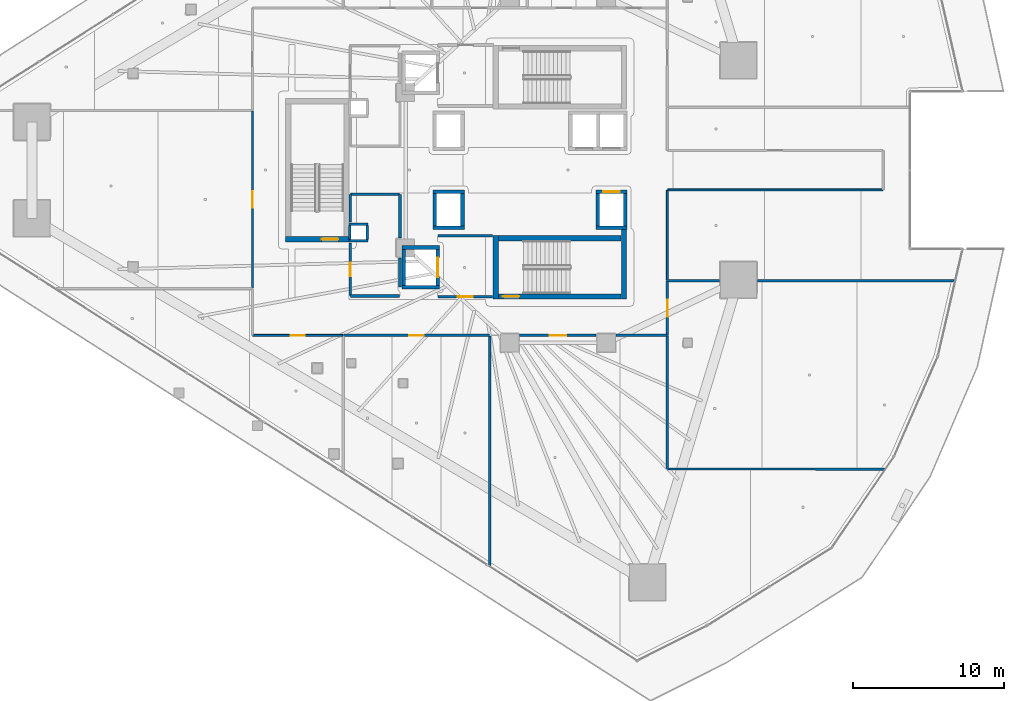
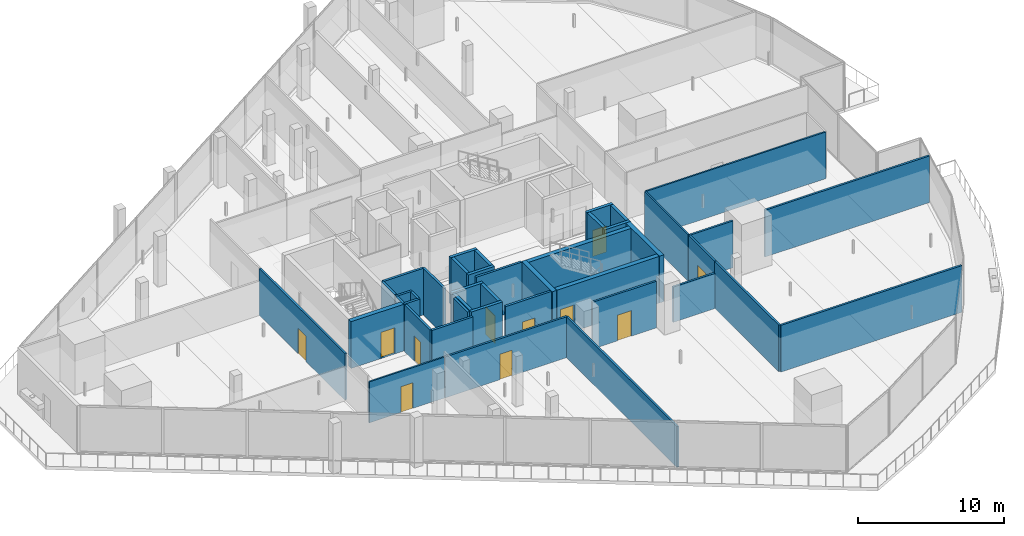
# One storey, part 28 of 44: 42 walls, 11 doors, 11 openings.
"""IFC4 building model written with IfcOpenShell, lengths in metres."""

from ifc_helpers import new_model, si_unit, direction, frame, frame_2d, origin, place, context, subcontext, project, spatial, rectangle, extrude, material, layer, layer_set, type_object, element, fill, save


model = new_model("IFC4")

# Units and contexts
model_context = context("Model", 3, precision=1e-05, world=origin(), true_north=direction((0.0, 1.0)))
body_context = subcontext(model_context, "Body", "Model", "MODEL_VIEW")
ifc_project = project(units=[si_unit("LENGTHUNIT", "METRE"), si_unit("AREAUNIT", "SQUARE_METRE"), si_unit("VOLUMEUNIT", "CUBIC_METRE"), si_unit("PLANEANGLEUNIT", "RADIAN"), si_unit("MASSUNIT", "GRAM", prefix="KILO")], contexts=[model_context])

# Site, building, storey
site_placement = place(None, origin())
site = spatial("IfcSite", under=ifc_project, at=site_placement, CompositionType="ELEMENT")
building_placement = place(site_placement, origin())
building = spatial("IfcBuilding", under=site, at=building_placement, Name="Qorvath Tower", CompositionType="ELEMENT")
storey_placement = place(building_placement, frame((0.0, 0.0, 70.199951171875)))
storey = spatial("IfcBuildingStorey", under=building, at=storey_placement, Name="L15", CompositionType="ELEMENT", Elevation=70.199951171875)

# Walls
ifc_material_1 = material(Name="Gypsum shaftliner on steel studs", Category="steel")
ifc_layer_1 = layer(ifc_material_1, 0.179931640625)
ifc_layer_set_1 = layer_set([ifc_layer_1], Name="FW-LOBBY")
wall_type_1 = type_object("IfcWallType", Name="FW-LOBBY", PredefinedType="PARTITIONING", material=ifc_layer_set_1)
for number, where, z_axis, x_axis, name in (
    (1, (-32.989990234375, -4.675048828125, 0.0), (0.0, 0.0, 1.0), (-1.0, 0.0, 0.0), "MEP Riser Shaft Enclosure Wall S-L15-S"),
    (2, (-34.260009765625, -3.594970703125, 0.0), (0.0, 0.0, 1.0), (1.0, 0.0, 0.0), "MEP Riser Shaft Enclosure Wall S-L15-N"),
):
    element("IfcWall", number, at=place(storey_placement, frame(where, z_axis=z_axis, x_axis=x_axis)), inside=storey, type_object=wall_type_1, Name=name, PredefinedType="PARTITIONING", context=body_context, shape_type="SweptSolid", body=[
        extrude(rectangle(XDim=1.27001953125, YDim=0.179931640625, at=frame_2d((0.635009765625, 0.0))), origin(), (0.0, 0.0, 1.0), 3.920166015625),
    ])
for number, where, z_axis, x_axis, name in (
    (3, (-34.205078125, -4.610107421875, 0.0), (0.0, 0.0, 1.0), (0.0, 1.0, 0.0), "MEP Riser Shaft Enclosure Wall S-L15-W"),
    (4, (-33.044921875, -3.659912109375, 0.0), (0.0, 0.0, 1.0), (0.0, -1.0, 0.0), "MEP Riser Shaft Enclosure Wall S-L15-E"),
):
    element("IfcWall", number, at=place(storey_placement, frame(where, z_axis=z_axis, x_axis=x_axis)), inside=storey, type_object=wall_type_1, Name=name, PredefinedType="PARTITIONING", context=body_context, shape_type="SweptSolid", body=[
        extrude(rectangle(XDim=0.9501953125, YDim=0.179931640625, at=frame_2d((0.47509765625, 0.0))), origin(), (0.0, 0.0, 1.0), 3.920166015625),
    ])

# Wall, opening, door
wall_1_placement = place(storey_placement, frame((-28.35498046875, -8.39990234375, 0.0), z_axis=(0.0, 0.0, 1.0), x_axis=(1.0, 0.0, 0.0)))
wall_1 = element("IfcWall", 5, at=wall_1_placement, inside=storey, type_object=wall_type_1, Name="Interior Partition IW-T1-L15-003", PredefinedType="PARTITIONING", context=body_context, shape_type="SweptSolid", body=[
    extrude(rectangle(XDim=3.6220703125, YDim=0.179931640625, at=frame_2d((1.81103515625, 0.0))), origin(), (0.0, 0.0, 1.0), 3.920166015625),
])
opening_1_placement = place(wall_1_placement, frame((1.31103515625, 0.0, 0.0)))
opening_1 = element("IfcOpeningElement", 6, at=opening_1_placement, cuts=wall_1, Name="Opening D-T1-L15-16", PredefinedType="OPENING", context=body_context, shape_type="SweptSolid", body=[
    extrude(rectangle(XDim=1.0, YDim=2.14990234375, at=frame_2d((0.5, 1.074951171875))), frame((0.0, 0.10009765625, 0.0), z_axis=(0.0, -1.0, 0.0), x_axis=(1.0, 0.0, 0.0)), (0.0, 0.0, 1.0), 0.199951171875),
])
ifc_material_2 = material(Name="Painted galvanised hollow metal", Category="steel")
door_type_1 = type_object("IfcDoorType", Name="FD-60", OperationType="NOTDEFINED", PredefinedType="DOOR", material=ifc_material_2)
door_1_placement = place(opening_1_placement, origin())
door_1 = element("IfcDoor", 7, at=door_1_placement, inside=storey, type_object=door_type_1, Name="Lobby Fire Service Elevator South Door D-T1-L15-16", OperationType="SINGLE_SWING_LEFT", OverallHeight=2.14990234375, OverallWidth=1.0, PredefinedType="DOOR", context=body_context, shape_type="SweptSolid", body=[
    extrude(rectangle(XDim=1.0, YDim=2.14990234375, at=frame_2d((0.5, 1.074951171875))), frame((0.0, 0.02490234375, 0.0), z_axis=(0.0, -1.0, 0.0), x_axis=(1.0, 0.0, 0.0)), (0.0, 0.0, 1.0), 0.050048828125),
])
fill(opening_1, door_1)

# Walls
wall_2_placement = place(storey_placement, frame((-24.73291015625, -4.35009765625, 0.0), z_axis=(0.0, 0.0, 1.0), x_axis=(-1.0, 0.0, 0.0)))
element("IfcWall", 8, at=wall_2_placement, inside=storey, type_object=wall_type_1, Name="Interior Partition IW-T1-L15-004", PredefinedType="PARTITIONING", context=body_context, shape_type="SweptSolid", body=[
    extrude(rectangle(XDim=3.6220703125, YDim=0.179931640625, at=frame_2d((1.81103515625, 0.0))), origin(), (0.0, 0.0, 1.0), 3.920166015625),
])
wall_3_placement = place(storey_placement, frame((-34.15478515625, -8.35009765625, 0.0), z_axis=(0.0, 0.0, 1.0), x_axis=(1.0, 0.0, 0.0)))
element("IfcWall", 9, at=wall_3_placement, inside=storey, type_object=wall_type_1, Name="Interior Partition IW-T1-L15-011", PredefinedType="PARTITIONING", context=body_context, shape_type="SweptSolid", body=[
    extrude(rectangle(XDim=3.25, YDim=0.179931640625, at=frame_2d((1.625, 0.0))), origin(), (0.0, 0.0, 1.0), 3.920166015625),
])
wall_4_placement = place(storey_placement, frame((-30.8798828125, -7.742919921875, 0.0), z_axis=(0.0, 0.0, 1.0), x_axis=(0.0, 1.0, 0.0)))
element("IfcWall", 10, at=wall_4_placement, inside=storey, type_object=wall_type_1, Name="Interior Partition IW-T1-L15-012", PredefinedType="PARTITIONING", context=body_context, shape_type="SweptSolid", body=[
    extrude(rectangle(XDim=1.927978515625, YDim=0.179931640625, at=frame_2d((0.9638671875, 0.0))), origin(), (0.0, 0.0, 1.0), 3.920166015625),
])
wall_5_placement = place(storey_placement, frame((-30.8798828125, -4.485107421875, 0.0), z_axis=(0.0, 0.0, 1.0), x_axis=(0.0, 1.0, 0.0)))
element("IfcWall", 11, at=wall_5_placement, inside=storey, type_object=wall_type_1, Name="Interior Partition IW-T1-L15-013", PredefinedType="PARTITIONING", context=body_context, shape_type="SweptSolid", body=[
    extrude(rectangle(XDim=2.860107421875, YDim=0.179931640625, at=frame_2d((1.43017578125, 0.0))), origin(), (0.0, 0.0, 1.0), 3.920166015625),
])
wall_6_placement = place(storey_placement, frame((-30.90478515625, -1.60009765625, 0.0), z_axis=(0.0, 0.0, 1.0), x_axis=(-1.0, 0.0, 0.0)))
element("IfcWall", 12, at=wall_6_placement, inside=storey, type_object=wall_type_1, Name="Interior Partition IW-T1-L15-014", PredefinedType="PARTITIONING", context=body_context, shape_type="SweptSolid", body=[
    extrude(rectangle(XDim=3.25, YDim=0.179931640625, at=frame_2d((1.625, 0.0))), origin(), (0.0, 0.0, 1.0), 3.920166015625),
])
wall_7_placement = place(storey_placement, frame((-34.179931640625, -1.625, 0.0), z_axis=(0.0, 0.0, 1.0), x_axis=(0.0, -1.0, 0.0)))
element("IfcWall", 13, at=wall_7_placement, inside=storey, type_object=wall_type_1, Name="Interior Partition IW-T1-L15-015", PredefinedType="PARTITIONING", context=body_context, shape_type="SweptSolid", body=[
    extrude(rectangle(XDim=1.804931640625, YDim=0.179931640625, at=frame_2d((0.90234375, 0.0))), origin(), (0.0, 0.0, 1.0), 3.920166015625),
])

# Wall, opening, door
wall_8_placement = place(storey_placement, frame((-34.179931640625, -4.840087890625, 0.0), z_axis=(0.0, 0.0, 1.0), x_axis=(0.0, -1.0, 0.0)))
wall_8 = element("IfcWall", 14, at=wall_8_placement, inside=storey, type_object=wall_type_1, Name="Interior Partition IW-T1-L15-016", PredefinedType="PARTITIONING", context=body_context, shape_type="SweptSolid", body=[
    extrude(rectangle(XDim=3.485107421875, YDim=0.179931640625, at=frame_2d((1.74267578125, 0.0))), origin(), (0.0, 0.0, 1.0), 3.920166015625),
])
opening_2_placement = place(wall_8_placement, frame((1.302490234375, 0.0, 0.0)))
opening_2 = element("IfcOpeningElement", 15, at=opening_2_placement, cuts=wall_8, Name="Opening D-T1-L15-02", PredefinedType="OPENING", context=body_context, shape_type="SweptSolid", body=[
    extrude(rectangle(XDim=0.8798828125, YDim=2.10009765625, at=frame_2d((0.43994140625, 1.050048828125))), frame((0.0, 0.10009765625, 0.0), z_axis=(0.0, -1.0, 0.0), x_axis=(1.0, 0.0, 0.0)), (0.0, 0.0, 1.0), 0.199951171875),
])
ifc_material_3 = material(Name="Painted galvanised hollow metal", Category="steel")
door_type_2 = type_object("IfcDoorType", Name="FD-60N", OperationType="NOTDEFINED", PredefinedType="DOOR", material=ifc_material_3)
door_2_placement = place(opening_2_placement, origin())
door_2 = element("IfcDoor", 16, at=door_2_placement, inside=storey, type_object=door_type_2, Name="Core electrical and cleaner room L15 Door D-T1-L15-02", OperationType="SINGLE_SWING_LEFT", OverallHeight=2.10009765625, OverallWidth=0.8798828125, PredefinedType="DOOR", context=body_context, shape_type="SweptSolid", body=[
    extrude(rectangle(XDim=0.8798828125, YDim=2.10009765625, at=frame_2d((0.43994140625, 1.050048828125))), frame((0.0, 0.02490234375, 0.0), z_axis=(0.0, -1.0, 0.0), x_axis=(1.0, 0.0, 0.0)), (0.0, 0.0, 1.0), 0.050048828125),
])
fill(opening_2, door_2)

ifc_material_4 = material(Name="Double acoustic gypsum board on steel studs", Category="steel")
ifc_layer_2 = layer(ifc_material_4, 0.159912109375)
ifc_layer_set_2 = layer_set([ifc_layer_2], Name="IW-ACOUSTIC-160")
wall_type_2 = type_object("IfcWallType", Name="IW-ACOUSTIC-160", PredefinedType="PARTITIONING", material=ifc_layer_set_2)
wall_9_placement = place(storey_placement, frame((-24.955810546875, -10.9580078125, 0.0), z_axis=(0.0, 0.0, 1.0), x_axis=(-1.0, 0.0, 0.0)))
wall_9 = element("IfcWall", 17, at=wall_9_placement, inside=storey, type_object=wall_type_2, Name="Interior Partition IW-T1-L15-027", PredefinedType="PARTITIONING", context=body_context, shape_type="SweptSolid", body=[
    extrude(rectangle(XDim=9.669189453125, YDim=0.159912109375, at=frame_2d((4.83447265625, 0.0))), origin(), (0.0, 0.0, 1.0), 3.43310546875),
])
opening_3_placement = place(wall_9_placement, frame((4.359619140625, 0.0, 0.0)))
opening_3 = element("IfcOpeningElement", 18, at=opening_3_placement, cuts=wall_9, Name="Opening D-T1-L15-07", PredefinedType="OPENING", context=body_context, shape_type="SweptSolid", body=[
    extrude(rectangle(XDim=0.949951171875, YDim=2.14990234375, at=frame_2d((0.47509765625, 1.074951171875))), frame((0.0, 0.08984375, 0.0), z_axis=(0.0, -1.0, 0.0), x_axis=(1.0, 0.0, 0.0)), (0.0, 0.0, 1.0), 0.179931640625),
])
ifc_material_5 = material(Name="Solid-core American white oak veneer", Category="wood")
door_type_3 = type_object("IfcDoorType", Name="D-01", OperationType="NOTDEFINED", PredefinedType="DOOR", material=ifc_material_5)
door_3_placement = place(opening_3_placement, origin())
door_3 = element("IfcDoor", 19, at=door_3_placement, inside=storey, type_object=door_type_3, Name="L15-05 Breakout Reading Alcove Door D-T1-L15-07", OperationType="SINGLE_SWING_RIGHT", OverallHeight=2.14990234375, OverallWidth=0.949951171875, PredefinedType="DOOR", context=body_context, shape_type="SweptSolid", body=[
    extrude(rectangle(XDim=0.949951171875, YDim=2.14990234375, at=frame_2d((0.47509765625, 1.074951171875))), frame((0.0, 0.02490234375, 0.0), z_axis=(0.0, -1.0, 0.0), x_axis=(1.0, 0.0, 0.0)), (0.0, 0.0, 1.0), 0.050048828125),
])
fill(opening_3, door_3)

# Walls
wall_10_placement = place(storey_placement, frame((-24.9306640625, -26.20703125, 0.0), z_axis=(0.0, 0.0, 1.0), x_axis=(0.0, 1.0, 0.0)))
element("IfcWall", 20, at=wall_10_placement, inside=storey, type_object=wall_type_2, Name="Interior Partition IW-T1-L15-029", PredefinedType="PARTITIONING", context=body_context, shape_type="SweptSolid", body=[
    extrude(rectangle(XDim=15.22412109375, YDim=0.159912109375, at=frame_2d((7.612060546875, 0.0))), origin(), (0.0, 0.0, 1.0), 3.43310546875),
])
wall_11_placement = place(storey_placement, frame((1.24609375, -19.82421875, 0.0), z_axis=(0.0, 0.0, 1.0), x_axis=(-0.999999852235, 0.000543625905, 0.0)))
element("IfcWall", 21, at=wall_11_placement, inside=storey, type_object=wall_type_2, Name="Interior Partition IW-T1-L15-030", PredefinedType="PARTITIONING", context=body_context, shape_type="SweptSolid", body=[
    extrude(rectangle(XDim=14.37109375, YDim=0.159912109375, at=frame_2d((7.185546875, 0.0))), origin(), (0.0, 0.0, 1.0), 3.920166015625),
])
wall_12_placement = place(storey_placement, frame((-13.14990234375, -19.79150390625, 0.0), z_axis=(0.0, 0.0, 1.0), x_axis=(0.0, 1.0, 0.0)))
element("IfcWall", 22, at=wall_12_placement, inside=storey, type_object=wall_type_2, Name="Interior Partition IW-T1-L15-031", PredefinedType="PARTITIONING", context=body_context, shape_type="SweptSolid", body=[
    extrude(rectangle(XDim=8.80859375, YDim=0.159912109375, at=frame_2d((4.404296875, 0.0))), origin(), (0.0, 0.0, 1.0), 3.920166015625),
])
wall_13_placement = place(storey_placement, frame((-13.1748046875, -10.9580078125, 0.0), z_axis=(0.0, 0.0, 1.0), x_axis=(-1.0, 0.0, 0.0)))
element("IfcWall", 23, at=wall_13_placement, inside=storey, type_object=wall_type_2, Name="Interior Partition IW-T1-L15-032", PredefinedType="PARTITIONING", context=body_context, shape_type="SweptSolid", body=[
    extrude(rectangle(XDim=3.360107421875, YDim=0.159912109375, at=frame_2d((1.68017578125, 0.0))), origin(), (0.0, 0.0, 1.0), 2.95703125),
])

# Wall, opening, door
wall_14_placement = place(storey_placement, frame((-17.864990234375, -10.9580078125, 0.0), z_axis=(0.0, 0.0, 1.0), x_axis=(-1.0, 0.0, 0.0)))
wall_14 = element("IfcWall", 24, at=wall_14_placement, inside=storey, type_object=wall_type_2, Name="Interior Partition IW-T1-L15-033", PredefinedType="PARTITIONING", context=body_context, shape_type="SweptSolid", body=[
    extrude(rectangle(XDim=5.070068359375, YDim=0.159912109375, at=frame_2d((2.53515625, 0.0))), origin(), (0.0, 0.0, 1.0), 3.920166015625),
])
opening_4_placement = place(wall_14_placement, frame((1.985107421875, 0.0, 0.0)))
opening_4 = element("IfcOpeningElement", 25, at=opening_4_placement, cuts=wall_14, Name="Opening D-T1-L15-08", PredefinedType="OPENING", context=body_context, shape_type="SweptSolid", body=[
    extrude(rectangle(XDim=1.10009765625, YDim=2.14990234375, at=frame_2d((0.550048828125, 1.074951171875))), frame((0.0, 0.08984375, 0.0), z_axis=(0.0, -1.0, 0.0), x_axis=(1.0, 0.0, 0.0)), (0.0, 0.0, 1.0), 0.179931640625),
])
ifc_material_6 = material(Name="Anodised aluminium acoustic framed glass", Category="aluminium")
door_type_4 = type_object("IfcDoorType", Name="D-03", OperationType="NOTDEFINED", PredefinedType="DOOR", material=ifc_material_6)
door_4_placement = place(opening_4_placement, origin())
door_4 = element("IfcDoor", 26, at=door_4_placement, inside=storey, type_object=door_type_4, Name="L15-06 Digital Visualization Suite Door D-T1-L15-08", OperationType="SINGLE_SWING_LEFT", OverallHeight=2.14990234375, OverallWidth=1.10009765625, PredefinedType="DOOR", context=body_context, shape_type="SweptSolid", body=[
    extrude(rectangle(XDim=1.10009765625, YDim=2.14990234375, at=frame_2d((0.550048828125, 1.074951171875))), frame((0.0, 0.02490234375, 0.0), z_axis=(0.0, -1.0, 0.0), x_axis=(1.0, 0.0, 0.0)), (0.0, 0.0, 1.0), 0.050048828125),
])
fill(opening_4, door_4)

# Walls
wall_15_placement = place(storey_placement, frame((5.8759765625, -7.3359375, 0.0), z_axis=(0.0, 0.0, 1.0), x_axis=(-1.0, 0.0, 0.0)))
element("IfcWall", 27, at=wall_15_placement, inside=storey, type_object=wall_type_2, Name="Interior Partition IW-T1-L15-034", PredefinedType="PARTITIONING", context=body_context, shape_type="SweptSolid", body=[
    extrude(rectangle(XDim=13.041259765625, YDim=0.159912109375, at=frame_2d((6.5205078125, 0.0))), origin(), (0.0, 0.0, 1.0), 3.920166015625),
])
wall_16_placement = place(storey_placement, frame((-9.6953125, -7.3359375, 0.0), z_axis=(0.0, 0.0, 1.0), x_axis=(-1.0, 0.0, 0.0)))
element("IfcWall", 28, at=wall_16_placement, inside=storey, type_object=wall_type_2, Name="Interior Partition IW-T1-L15-035", PredefinedType="PARTITIONING", context=body_context, shape_type="SweptSolid", body=[
    extrude(rectangle(XDim=3.421875, YDim=0.159912109375, at=frame_2d((1.7109375, 0.0))), origin(), (0.0, 0.0, 1.0), 3.920166015625),
])

# Wall, opening, door
wall_17_placement = place(storey_placement, frame((-13.14208984375, -7.36083984375, 0.0), z_axis=(0.0, 0.0, 1.0), x_axis=(0.0, -1.0, 0.0)))
wall_17 = element("IfcWall", 29, at=wall_17_placement, inside=storey, type_object=wall_type_2, Name="Interior Partition IW-T1-L15-036", PredefinedType="PARTITIONING", context=body_context, shape_type="SweptSolid", body=[
    extrude(rectangle(XDim=3.59716796875, YDim=0.159912109375, at=frame_2d((1.798583984375, 0.0))), origin(), (0.0, 0.0, 1.0), 3.920166015625),
])
opening_5_placement = place(wall_17_placement, frame((1.24853515625, 0.0, 0.0)))
opening_5 = element("IfcOpeningElement", 30, at=opening_5_placement, cuts=wall_17, Name="Opening D-T1-L15-09", PredefinedType="OPENING", context=body_context, shape_type="SweptSolid", body=[
    extrude(rectangle(XDim=1.10009765625, YDim=2.14990234375, at=frame_2d((0.550048828125, 1.074951171875))), frame((0.0, 0.08984375, 0.0), z_axis=(0.0, -1.0, 0.0), x_axis=(1.0, 0.0, 0.0)), (0.0, 0.0, 1.0), 0.179931640625),
])
door_5_placement = place(opening_5_placement, origin())
door_5 = element("IfcDoor", 31, at=door_5_placement, inside=storey, type_object=door_type_4, Name="L15-07 Team Project Office Door D-T1-L15-09", OperationType="SINGLE_SWING_RIGHT", OverallHeight=2.14990234375, OverallWidth=1.10009765625, PredefinedType="DOOR", context=body_context, shape_type="SweptSolid", body=[
    extrude(rectangle(XDim=1.10009765625, YDim=2.14990234375, at=frame_2d((0.550048828125, 1.074951171875))), frame((0.0, 0.02490234375, 0.0), z_axis=(0.0, -1.0, 0.0), x_axis=(1.0, 0.0, 0.0)), (0.0, 0.0, 1.0), 0.050048828125),
])
fill(opening_5, door_5)

wall_18_placement = place(storey_placement, frame((-40.657958984375, -7.82421875, 0.0), z_axis=(0.0, 0.0, 1.0), x_axis=(0.0, 1.0, 0.0)))
wall_18 = element("IfcWall", 32, at=wall_18_placement, inside=storey, type_object=wall_type_2, Name="Interior Partition IW-T1-L15-047", PredefinedType="PARTITIONING", context=body_context, shape_type="SweptSolid", body=[
    extrude(rectangle(XDim=11.755615234375, YDim=0.159912109375, at=frame_2d((5.8779296875, 0.0))), origin(), (0.0, 0.0, 1.0), 3.920166015625),
])
opening_6_placement = place(wall_18_placement, frame((5.327880859375, 0.0, 0.0)))
opening_6 = element("IfcOpeningElement", 33, at=opening_6_placement, cuts=wall_18, Name="Opening D-T1-L15-13", PredefinedType="OPENING", context=body_context, shape_type="SweptSolid", body=[
    extrude(rectangle(XDim=1.10009765625, YDim=2.14990234375, at=frame_2d((0.550048828125, 1.074951171875))), frame((0.0, 0.08984375, 0.0), z_axis=(0.0, -1.0, 0.0), x_axis=(1.0, 0.0, 0.0)), (0.0, 0.0, 1.0), 0.179931640625),
])
door_6_placement = place(opening_6_placement, origin())
door_6 = element("IfcDoor", 34, at=door_6_placement, inside=storey, type_object=door_type_4, Name="L15-11 Client Services Office Door D-T1-L15-13", OperationType="SINGLE_SWING_RIGHT", OverallHeight=2.14990234375, OverallWidth=1.10009765625, PredefinedType="DOOR", context=body_context, shape_type="SweptSolid", body=[
    extrude(rectangle(XDim=1.10009765625, YDim=2.14990234375, at=frame_2d((0.550048828125, 1.074951171875))), frame((0.0, 0.02490234375, 0.0), z_axis=(0.0, -1.0, 0.0), x_axis=(1.0, 0.0, 0.0)), (0.0, 0.0, 1.0), 0.050048828125),
])
fill(opening_6, door_6)

# Walls
ifc_material_7 = material(Name="Gypsum board on metal studs with mineral wool", Category="gypsum")
ifc_layer_3 = layer(ifc_material_7, 0.125)
ifc_layer_set_3 = layer_set([ifc_layer_3], Name="IW-PART-125")
wall_type_3 = type_object("IfcWallType", Name="IW-PART-125", PredefinedType="PARTITIONING", material=ifc_layer_set_3)
wall_19_placement = place(storey_placement, frame((1.140380859375, -1.30810546875, 0.0), z_axis=(0.0, 0.0, 1.0), x_axis=(-1.0, 0.0, 0.0)))
element("IfcWall", 35, at=wall_19_placement, inside=storey, type_object=wall_type_3, Name="Interior Partition IW-T1-L15-041", PredefinedType="PARTITIONING", context=body_context, shape_type="SweptSolid", body=[
    extrude(rectangle(XDim=14.257568359375, YDim=0.125, at=frame_2d((7.12890625, 0.0))), origin(), (0.0, 0.0, 1.0), 3.920166015625),
])
wall_20_placement = place(storey_placement, frame((-13.14208984375, -1.3330078125, 0.0), z_axis=(0.0, 0.0, 1.0), x_axis=(0.0, -1.0, 0.0)))
element("IfcWall", 36, at=wall_20_placement, inside=storey, type_object=wall_type_3, Name="Interior Partition IW-T1-L15-042", PredefinedType="PARTITIONING", context=body_context, shape_type="SweptSolid", body=[
    extrude(rectangle(XDim=5.969970703125, YDim=0.125, at=frame_2d((2.98486328125, 0.0))), origin(), (0.0, 0.0, 1.0), 3.920166015625),
])

# Wall, opening, door
wall_21_placement = place(storey_placement, frame((-34.68310546875, -10.9580078125, 0.0), z_axis=(0.0, 0.0, 1.0), x_axis=(-1.0, 0.0, 0.0)))
wall_21 = element("IfcWall", 37, at=wall_21_placement, inside=storey, type_object=wall_type_3, Name="Interior Partition IW-T1-L15-044", PredefinedType="PARTITIONING", context=body_context, shape_type="SweptSolid", body=[
    extrude(rectangle(XDim=5.949951171875, YDim=0.125, at=frame_2d((2.97509765625, 0.0))), origin(), (0.0, 0.0, 1.0), 3.43310546875),
])
opening_7_placement = place(wall_21_placement, frame((2.5, 0.0, 0.0)))
opening_7 = element("IfcOpeningElement", 38, at=opening_7_placement, cuts=wall_21, Name="Opening D-T1-L15-12", PredefinedType="OPENING", context=body_context, shape_type="SweptSolid", body=[
    extrude(rectangle(XDim=0.949951171875, YDim=2.14990234375, at=frame_2d((0.47509765625, 1.074951171875))), frame((0.0, 0.072509765625, 0.0), z_axis=(0.0, -1.0, 0.0), x_axis=(1.0, 0.0, 0.0)), (0.0, 0.0, 1.0), 0.14501953125),
])
door_7_placement = place(opening_7_placement, origin())
door_7 = element("IfcDoor", 39, at=door_7_placement, inside=storey, type_object=door_type_3, Name="L15-10 Staff Refreshment Pantry and Coffee Bar Door D-T1-L15-12", OperationType="SINGLE_SWING_LEFT", OverallHeight=2.14990234375, OverallWidth=0.949951171875, PredefinedType="DOOR", context=body_context, shape_type="SweptSolid", body=[
    extrude(rectangle(XDim=0.949951171875, YDim=2.14990234375, at=frame_2d((0.47509765625, 1.074951171875))), frame((0.0, 0.02490234375, 0.0), z_axis=(0.0, -1.0, 0.0), x_axis=(1.0, 0.0, 0.0)), (0.0, 0.0, 1.0), 0.050048828125),
])
fill(opening_7, door_7)

# Walls
ifc_material_8 = material(Name="Concrete C60/75", Category="concrete")
ifc_layer_4 = layer(ifc_material_8, 0.260009765625)
ifc_layer_set_4 = layer_set([ifc_layer_4], Name="SW-SHAFT")
wall_type_4 = type_object("IfcWallType", Name="SW-SHAFT", PredefinedType="SHEAR", material=ifc_layer_set_4)
for number, where, z_axis, x_axis, name in (
    (40, (-28.260009765625, -7.77001953125, 0.0), (0.0, 0.0, 1.0), (-1.0, 0.0, 0.0), "Hoistway Wall FSAE-2 L15 S"),
    (41, (-30.739990234375, -5.1298828125, 0.0), (0.0, 0.0, 1.0), (1.0, 0.0, 0.0), "Hoistway Wall FSAE-2 L15 N"),
):
    element("IfcWall", number, at=place(storey_placement, frame(where, z_axis=z_axis, x_axis=x_axis)), inside=storey, type_object=wall_type_4, Name=name, PredefinedType="SHEAR", context=body_context, shape_type="SweptSolid", body=[
        extrude(rectangle(XDim=2.47998046875, YDim=0.239990234375, at=frame_2d((1.239990234375, 0.0))), origin(), (0.0, 0.0, 1.0), 3.920166015625),
    ])
wall_22_placement = place(storey_placement, frame((-30.6201171875, -7.637939453125, 0.0), z_axis=(0.0, 0.0, 1.0), x_axis=(0.0, 1.0, 0.0)))
element("IfcWall", 42, at=wall_22_placement, inside=storey, type_object=wall_type_4, Name="Hoistway Wall FSAE-2 L15 W", PredefinedType="SHEAR", context=body_context, shape_type="SweptSolid", body=[
    extrude(rectangle(XDim=2.3759765625, YDim=0.239990234375, at=frame_2d((1.18798828125, 0.0))), origin(), (0.0, 0.0, 1.0), 3.920166015625),
])

# Wall, opening, door
wall_23_placement = place(storey_placement, frame((-28.3798828125, -5.261962890625, 0.0), z_axis=(0.0, 0.0, 1.0), x_axis=(0.0, -1.0, 0.0)))
wall_23 = element("IfcWall", 43, at=wall_23_placement, inside=storey, type_object=wall_type_4, Name="Hoistway Wall FSAE-2 L15 E", PredefinedType="SHEAR", context=body_context, shape_type="SweptSolid", body=[
    extrude(rectangle(XDim=2.3759765625, YDim=0.239990234375, at=frame_2d((1.18798828125, 0.0))), origin(), (0.0, 0.0, 1.0), 3.920166015625),
])
opening_8_placement = place(wall_23_placement, frame((0.5380859375, 0.0, 0.0)))
opening_8 = element("IfcOpeningElement", 44, at=opening_8_placement, cuts=wall_23, Name="Opening LD-FSAE-2-L15", PredefinedType="OPENING", context=body_context, shape_type="SweptSolid", body=[
    extrude(rectangle(XDim=1.300048828125, YDim=2.300048828125, at=frame_2d((0.64990234375, 1.14990234375))), frame((0.0, 0.1298828125, 0.0), z_axis=(0.0, -1.0, 0.0), x_axis=(1.0, 0.0, 0.0)), (0.0, 0.0, 1.0), 0.260009765625),
])
ifc_material_9 = material(Name="Brushed stainless steel AISI 316", Category="steel")
door_type_5 = type_object("IfcDoorType", Name="LD-02", OperationType="NOTDEFINED", PredefinedType="DOOR", material=ifc_material_9)
door_8_placement = place(opening_8_placement, origin())
door_8 = element("IfcDoor", 45, at=door_8_placement, inside=storey, type_object=door_type_5, Name="Elevator Landing Sliding Door LD-FSAE-2-L15", OperationType="DOUBLE_DOOR_SLIDING", OverallHeight=2.300048828125, OverallWidth=1.300048828125, PredefinedType="DOOR", context=body_context, shape_type="SweptSolid", body=[
    extrude(rectangle(XDim=1.300048828125, YDim=2.300048828125, at=frame_2d((0.64990234375, 1.14990234375))), frame((0.0, 0.02490234375, 0.0), z_axis=(0.0, -1.0, 0.0), x_axis=(1.0, 0.0, 0.0)), (0.0, 0.0, 1.0), 0.050048828125),
])
fill(opening_8, door_8)

# Walls
for number, where, z_axis, x_axis, name in (
    (46, (-26.610107421875, -3.820068359375, 0.0), (0.0, 0.0, 1.0), (-1.0, 0.0, 0.0), "Hoistway Wall PS-2 L15 S"),
    (47, (-28.68994140625, -1.429931640625, 0.0), (0.0, 0.0, 1.0), (1.0, 0.0, 0.0), "Hoistway Wall PS-2 L15 N"),
):
    element("IfcWall", number, at=place(storey_placement, frame(where, z_axis=z_axis, x_axis=x_axis)), inside=storey, type_object=wall_type_4, Name=name, PredefinedType="SHEAR", context=body_context, shape_type="SweptSolid", body=[
        extrude(rectangle(XDim=2.079833984375, YDim=0.239990234375, at=frame_2d((1.0400390625, 0.0))), origin(), (0.0, 0.0, 1.0), 3.920166015625),
    ])
for number, where, z_axis, x_axis, name in (
    (48, (-28.570068359375, -3.68798828125, 0.0), (0.0, 0.0, 1.0), (0.0, 1.0, 0.0), "Hoistway Wall PS-2 L15 W"),
    (49, (-26.72998046875, -1.56201171875, 0.0), (0.0, 0.0, 1.0), (0.0, -1.0, 0.0), "Hoistway Wall PS-2 L15 E"),
):
    element("IfcWall", number, at=place(storey_placement, frame(where, z_axis=z_axis, x_axis=x_axis)), inside=storey, type_object=wall_type_4, Name=name, PredefinedType="SHEAR", context=body_context, shape_type="SweptSolid", body=[
        extrude(rectangle(XDim=2.1259765625, YDim=0.239990234375, at=frame_2d((1.06298828125, 0.0))), origin(), (0.0, 0.0, 1.0), 3.920166015625),
    ])
wall_24_placement = place(storey_placement, frame((-15.81005859375, -3.820068359375, 0.0), z_axis=(0.0, 0.0, 1.0), x_axis=(-1.0, 0.0, 0.0)))
element("IfcWall", 50, at=wall_24_placement, inside=storey, type_object=wall_type_4, Name="Hoistway Wall PL-2 L15 S", PredefinedType="SHEAR", context=body_context, shape_type="SweptSolid", body=[
    extrude(rectangle(XDim=2.079833984375, YDim=0.239990234375, at=frame_2d((1.0400390625, 0.0))), origin(), (0.0, 0.0, 1.0), 3.920166015625),
])

# Wall, opening, door
wall_25_placement = place(storey_placement, frame((-17.889892578125, -1.429931640625, 0.0), z_axis=(0.0, 0.0, 1.0), x_axis=(1.0, 0.0, 0.0)))
wall_25 = element("IfcWall", 51, at=wall_25_placement, inside=storey, type_object=wall_type_4, Name="Hoistway Wall PL-2 L15 N", PredefinedType="SHEAR", context=body_context, shape_type="SweptSolid", body=[
    extrude(rectangle(XDim=2.079833984375, YDim=0.239990234375, at=frame_2d((1.0400390625, 0.0))), origin(), (0.0, 0.0, 1.0), 3.920166015625),
])
opening_9_placement = place(wall_25_placement, frame((0.48974609375, 0.0, 0.0)))
opening_9 = element("IfcOpeningElement", 52, at=opening_9_placement, cuts=wall_25, Name="Opening LD-PL-2-L15", PredefinedType="OPENING", context=body_context, shape_type="SweptSolid", body=[
    extrude(rectangle(XDim=1.10009765625, YDim=2.199951171875, at=frame_2d((0.550048828125, 1.10009765625))), frame((0.0, 0.1298828125, 0.0), z_axis=(0.0, -1.0, 0.0), x_axis=(1.0, 0.0, 0.0)), (0.0, 0.0, 1.0), 0.260009765625),
])
ifc_material_10 = material(Name="Brushed stainless steel AISI 316", Category="steel")
door_type_6 = type_object("IfcDoorType", Name="LD-01", OperationType="NOTDEFINED", PredefinedType="DOOR", material=ifc_material_10)
door_9_placement = place(opening_9_placement, origin())
door_9 = element("IfcDoor", 53, at=door_9_placement, inside=storey, type_object=door_type_6, Name="Elevator Landing Sliding Door LD-PL-2-L15", OperationType="DOUBLE_DOOR_SLIDING", OverallHeight=2.199951171875, OverallWidth=1.10009765625, PredefinedType="DOOR", context=body_context, shape_type="SweptSolid", body=[
    extrude(rectangle(XDim=1.10009765625, YDim=2.199951171875, at=frame_2d((0.550048828125, 1.10009765625))), frame((0.0, 0.02490234375, 0.0), z_axis=(0.0, -1.0, 0.0), x_axis=(1.0, 0.0, 0.0)), (0.0, 0.0, 1.0), 0.050048828125),
])
fill(opening_9, door_9)

# Walls
for number, where, z_axis, x_axis, name in (
    (54, (-17.77001953125, -3.68798828125, 0.0), (0.0, 0.0, 1.0), (0.0, 1.0, 0.0), "Hoistway Wall PL-2 L15 W"),
    (55, (-15.929931640625, -1.56201171875, 0.0), (0.0, 0.0, 1.0), (0.0, -1.0, 0.0), "Hoistway Wall PL-2 L15 E"),
):
    element("IfcWall", number, at=place(storey_placement, frame(where, z_axis=z_axis, x_axis=x_axis)), inside=storey, type_object=wall_type_4, Name=name, PredefinedType="SHEAR", context=body_context, shape_type="SweptSolid", body=[
        extrude(rectangle(XDim=2.1259765625, YDim=0.239990234375, at=frame_2d((1.06298828125, 0.0))), origin(), (0.0, 0.0, 1.0), 3.920166015625),
    ])
ifc_material_11 = material(Name="Concrete C60/75", Category="concrete")
ifc_layer_5 = layer(ifc_material_11, 0.35009765625)
ifc_layer_set_5 = layer_set([ifc_layer_5], Name="SW-STAIR")
wall_type_5 = type_object("IfcWallType", Name="SW-STAIR", PredefinedType="SHEAR", material=ifc_layer_set_5)
wall_26_placement = place(storey_placement, frame((-24.52490234375, -4.340087890625, 0.0), z_axis=(0.0, 0.0, 1.0), x_axis=(0.0, -1.0, 0.0)))
element("IfcWall", 56, at=wall_26_placement, inside=storey, type_object=wall_type_5, Name="Stair TS2 Shear Wall L15 NEAR", PredefinedType="SHEAR", context=body_context, shape_type="SweptSolid", body=[
    extrude(rectangle(XDim=4.2099609375, YDim=0.35009765625, at=frame_2d((2.10498046875, 0.0))), origin(), (0.0, 0.0, 1.0), 3.920166015625),
])
wall_27_placement = place(storey_placement, frame((-16.02490234375, -8.550048828125, 0.0), z_axis=(0.0, 0.0, 1.0), x_axis=(0.0, 1.0, 0.0)))
element("IfcWall", 57, at=wall_27_placement, inside=storey, type_object=wall_type_5, Name="Stair TS2 Shear Wall L15 FAR", PredefinedType="SHEAR", context=body_context, shape_type="SweptSolid", body=[
    extrude(rectangle(XDim=4.610107421875, YDim=0.35009765625, at=frame_2d((2.30517578125, 0.0))), origin(), (0.0, 0.0, 1.0), 3.920166015625),
])

# Wall, opening, door
wall_28_placement = place(storey_placement, frame((-24.3349609375, -8.375, 0.0), z_axis=(0.0, 0.0, 1.0), x_axis=(1.0, 0.0, 0.0)))
wall_28 = element("IfcWall", 58, at=wall_28_placement, inside=storey, type_object=wall_type_5, Name="Stair TS2 Shear Wall L15 LEFT", PredefinedType="SHEAR", context=body_context, shape_type="SweptSolid", body=[
    extrude(rectangle(XDim=8.119873046875, YDim=0.35009765625, at=frame_2d((4.06005859375, 0.0))), origin(), (0.0, 0.0, 1.0), 3.920166015625),
])
opening_10_placement = place(wall_28_placement, frame((0.280029296875, 0.0, 0.0)))
opening_10 = element("IfcOpeningElement", 59, at=opening_10_placement, cuts=wall_28, Name="Opening D-TS2-L15", PredefinedType="OPENING", context=body_context, shape_type="SweptSolid", body=[
    extrude(rectangle(XDim=1.10009765625, YDim=2.199951171875, at=frame_2d((0.550048828125, 1.10009765625))), frame((0.0, 0.18505859375, 0.0), z_axis=(0.0, -1.0, 0.0), x_axis=(1.0, 0.0, 0.0)), (0.0, 0.0, 1.0), 0.3701171875),
])
ifc_material_12 = material(Name="Painted galvanised hollow metal", Category="steel")
door_type_7 = type_object("IfcDoorType", Name="FD-90", OperationType="NOTDEFINED", PredefinedType="DOOR", material=ifc_material_12)
door_10_placement = place(opening_10_placement, origin())
door_10 = element("IfcDoor", 60, at=door_10_placement, inside=storey, type_object=door_type_7, Name="Stair TS2 Fire Door L15", OperationType="SINGLE_SWING_RIGHT", OverallHeight=2.199951171875, OverallWidth=1.10009765625, PredefinedType="DOOR", context=body_context, shape_type="SweptSolid", body=[
    extrude(rectangle(XDim=1.10009765625, YDim=2.199951171875, at=frame_2d((0.550048828125, 1.10009765625))), frame((0.0, 0.02490234375, 0.0), z_axis=(0.0, -1.0, 0.0), x_axis=(1.0, 0.0, 0.0)), (0.0, 0.0, 1.0), 0.050048828125),
])
fill(opening_10, door_10)

# Wall
wall_29_placement = place(storey_placement, frame((-16.215087890625, -4.514892578125, 0.0), z_axis=(0.0, 0.0, 1.0), x_axis=(-1.0, 0.0, 0.0)))
element("IfcWall", 61, at=wall_29_placement, inside=storey, type_object=wall_type_5, Name="Stair TS2 Shear Wall L15 RIGHT", PredefinedType="SHEAR", context=body_context, shape_type="SweptSolid", body=[
    extrude(rectangle(XDim=8.119873046875, YDim=0.35009765625, at=frame_2d((4.06005859375, 0.0))), origin(), (0.0, 0.0, 1.0), 3.920166015625),
])

# Wall, opening, door
wall_30_placement = place(storey_placement, frame((-38.4599609375, -4.574951171875, 0.0), z_axis=(0.0, 0.0, 1.0), x_axis=(1.0, 0.0, 0.0)))
wall_30 = element("IfcWall", 62, at=wall_30_placement, inside=storey, type_object=wall_type_5, Name="Stair TS3 Shear Wall L15 NEAR", PredefinedType="SHEAR", context=body_context, shape_type="SweptSolid", body=[
    extrude(rectangle(XDim=4.2099609375, YDim=0.35009765625, at=frame_2d((2.10498046875, 0.0))), origin(), (0.0, 0.0, 1.0), 3.920166015625),
])
opening_11_placement = place(wall_30_placement, frame((2.389892578125, 0.0, 0.0)))
opening_11 = element("IfcOpeningElement", 63, at=opening_11_placement, cuts=wall_30, Name="Opening D-TS3-L15", PredefinedType="OPENING", context=body_context, shape_type="SweptSolid", body=[
    extrude(rectangle(XDim=1.10009765625, YDim=2.199951171875, at=frame_2d((0.550048828125, 1.10009765625))), frame((0.0, 0.18505859375, 0.0), z_axis=(0.0, -1.0, 0.0), x_axis=(1.0, 0.0, 0.0)), (0.0, 0.0, 1.0), 0.3701171875),
])
door_11_placement = place(opening_11_placement, origin())
door_11 = element("IfcDoor", 64, at=door_11_placement, inside=storey, type_object=door_type_7, Name="Stair TS3 Fire Door L15", OperationType="SINGLE_SWING_RIGHT", OverallHeight=2.199951171875, OverallWidth=1.10009765625, PredefinedType="DOOR", context=body_context, shape_type="SweptSolid", body=[
    extrude(rectangle(XDim=1.10009765625, YDim=2.199951171875, at=frame_2d((0.550048828125, 1.10009765625))), frame((0.0, 0.02490234375, 0.0), z_axis=(0.0, -1.0, 0.0), x_axis=(1.0, 0.0, 0.0)), (0.0, 0.0, 1.0), 0.050048828125),
])
fill(opening_11, door_11)

save(model, "model.ifc")
